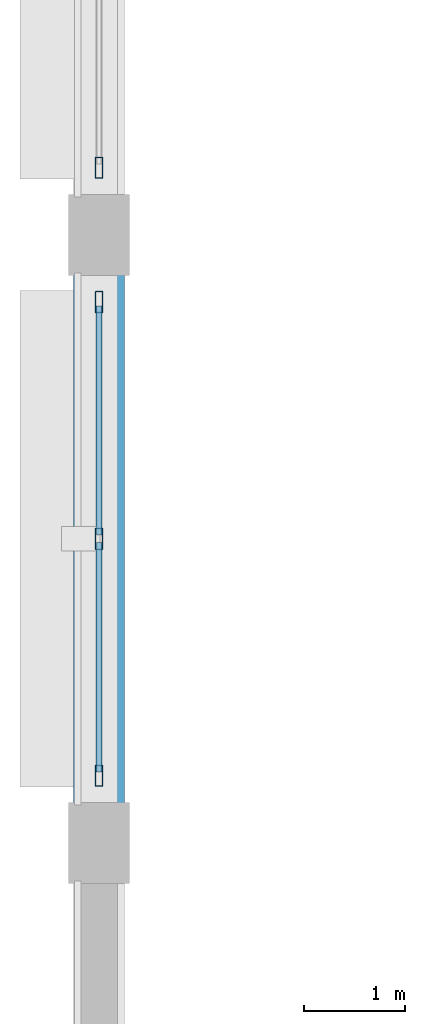
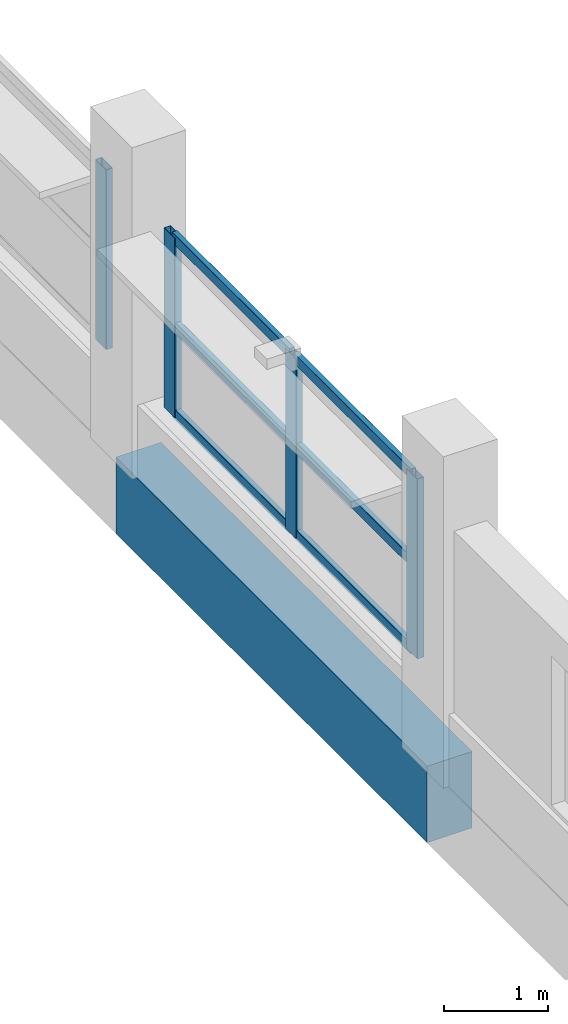
# One storey, part 5 of 121: 10 members, 1 beam, 2 elements without a shape of their own.
"""IFC4 building model written with IfcOpenShell, lengths in metres."""

from ifc_helpers import new_model, si_unit, direction, frame, origin, origin_2d, place, context, subcontext, project, spatial, rectangle, hollow_rectangle, extrude, material, layer, layer_set, material_profile, profile_set, type_object, element, aggregate, save


model = new_model("IFC4")

# Units and contexts
model_context = context("Model", 3, precision=1e-05, world=origin(), true_north=direction((0.0, 1.0)))
body_context = subcontext(model_context, "Body", "Model", "MODEL_VIEW")
ifc_project = project(units=[si_unit("LENGTHUNIT", "METRE"), si_unit("AREAUNIT", "SQUARE_METRE"), si_unit("VOLUMEUNIT", "CUBIC_METRE"), si_unit("PLANEANGLEUNIT", "RADIAN"), si_unit("MASSUNIT", "GRAM", prefix="KILO")], contexts=[model_context])

# Site, building, storey
site_placement = place(None, origin())
site = spatial("IfcSite", under=ifc_project, at=site_placement, CompositionType="ELEMENT")
building_placement = place(site_placement, origin())
building = spatial("IfcBuilding", under=site, at=building_placement, Name="Vespera Passage Community Centre", CompositionType="ELEMENT")
storey_placement = place(building_placement, frame((0.0, 0.0, 8.699951171875)))
storey = spatial("IfcBuildingStorey", under=building, at=storey_placement, Name="L02", CompositionType="ELEMENT", Elevation=8.699951171875)

# Beam
ifc_material_1 = material(Name="Concrete f'c 45 MPa", Category="concrete")
ifc_material_profile_1 = material_profile(ifc_material_1, rectangle(XDim=0.5, YDim=0.89990234375, at=origin_2d()), Name="RC500X900")
ifc_profile_set_1 = profile_set([ifc_material_profile_1], Name="Concrete f'c 45 MPa")
beam_type = type_object("IfcBeamType", Name="BM-SP-500X900E", PredefinedType="SPANDREL", material=ifc_profile_set_1)
beam_placement = place(storey_placement, frame((4.050048828125, 13.0, -0.449951171875), z_axis=(0.0, 1.0, 0.0), x_axis=(-1.0, 0.0, 0.0)))
element("IfcBeam", 1, at=beam_placement, inside=storey, type_object=beam_type, Name="V1 L02 Spandrel W2", PredefinedType="SPANDREL", context=body_context, shape_type="SweptSolid", body=[
    extrude(rectangle(XDim=0.5, YDim=0.89990234375, at=origin_2d()), origin(), (0.0, 0.0, 1.0), 6.0),
])

# Curtain wall, members
ifc_material_2 = material(Name="Anodized aluminium 6063-T6", Category="aluminium")
ifc_layer = layer(ifc_material_2, 0.159912109375)
ifc_layer_set = layer_set([ifc_layer], Name="Anodized aluminium 6063-T6")
curtain_wall_type = type_object("IfcCurtainWallType", Name="CW-86E", PredefinedType="NOTDEFINED", material=ifc_layer_set)
curtain_wall_1_placement = place(storey_placement, origin())
curtain_wall_1 = element("IfcCurtainWall", 2, at=curtain_wall_1_placement, inside=storey, type_object=curtain_wall_type, Name="Main Hall Acoustic Curtain Wall L02 W2", PredefinedType="NOTDEFINED")
ifc_material_3 = material(Name="Anodized aluminium 6063-T6", Category="aluminium")
ifc_material_profile_2 = material_profile(ifc_material_3, hollow_rectangle(XDim=0.074951171875, YDim=0.2099609375, WallThickness=0.0048828125, InnerFilletRadius=0.00244140625, OuterFilletRadius=0.0048828125, at=origin_2d()), Name="ALU210X75X5")
ifc_profile_set_2 = profile_set([ifc_material_profile_2], Name="Anodized aluminium 6063-T6")
member_type_1 = type_object("IfcMemberType", Name="MB-CWM-210E", PredefinedType="MULLION", material=ifc_profile_set_2)
member_1_placement = place(storey_placement, frame((4.050048828125, 13.66259765625, 0.85009765625), z_axis=(0.0, 0.0, 1.0), x_axis=(-1.0, 0.0, 0.0)))
member_1 = element("IfcMember", 3, at=member_1_placement, type_object=member_type_1, Name="CW-86E mullion 1", PredefinedType="MULLION", context=body_context, shape_type="SweptSolid", body=[
    extrude(hollow_rectangle(XDim=0.074951171875, YDim=0.2099609375, WallThickness=0.0048828125, InnerFilletRadius=0.00244140625, OuterFilletRadius=0.0048828125, at=origin_2d()), origin(), (0.0, 0.0, 1.0), 2.114990234375),
])
member_2_placement = place(storey_placement, frame((4.050048828125, 16.0, 0.85009765625), z_axis=(0.0, 0.0, 1.0), x_axis=(-1.0, 0.0, 0.0)))
member_2 = element("IfcMember", 4, at=member_2_placement, type_object=member_type_1, Name="CW-86E mullion 2", PredefinedType="MULLION", context=body_context, shape_type="SweptSolid", body=[
    extrude(hollow_rectangle(XDim=0.074951171875, YDim=0.2099609375, WallThickness=0.0048828125, InnerFilletRadius=0.00244140625, OuterFilletRadius=0.0048828125, at=origin_2d()), origin(), (0.0, 0.0, 1.0), 2.114990234375),
])
member_3_placement = place(storey_placement, frame((4.050048828125, 18.33740234375, 0.85009765625), z_axis=(0.0, 0.0, 1.0), x_axis=(-1.0, 0.0, 0.0)))
member_3 = element("IfcMember", 5, at=member_3_placement, type_object=member_type_1, Name="CW-86E mullion 3", PredefinedType="MULLION", context=body_context, shape_type="SweptSolid", body=[
    extrude(hollow_rectangle(XDim=0.074951171875, YDim=0.2099609375, WallThickness=0.0048828125, InnerFilletRadius=0.00244140625, OuterFilletRadius=0.0048828125, at=origin_2d()), origin(), (0.0, 0.0, 1.0), 2.114990234375),
])

# Curtain wall, member
curtain_wall_2_placement = place(storey_placement, origin())
curtain_wall_2 = element("IfcCurtainWall", 6, at=curtain_wall_2_placement, inside=storey, type_object=curtain_wall_type, Name="Main Hall Acoustic Curtain Wall L02 W3", PredefinedType="NOTDEFINED")
member_4_placement = place(storey_placement, frame((4.050048828125, 19.66259765625, 0.85009765625), z_axis=(0.0, 0.0, 1.0), x_axis=(-1.0, 0.0, 0.0)))
member_4 = element("IfcMember", 7, at=member_4_placement, type_object=member_type_1, Name="CW-86E mullion 1", PredefinedType="MULLION", context=body_context, shape_type="SweptSolid", body=[
    extrude(hollow_rectangle(XDim=0.074951171875, YDim=0.2099609375, WallThickness=0.0048828125, InnerFilletRadius=0.00244140625, OuterFilletRadius=0.0048828125, at=origin_2d()), origin(), (0.0, 0.0, 1.0), 2.114990234375),
])
aggregate(curtain_wall_2, [member_4])

# Member
ifc_material_4 = material(Name="Anodized aluminium 6063-T6", Category="aluminium")
ifc_material_profile_3 = material_profile(ifc_material_4, hollow_rectangle(XDim=0.06005859375, YDim=0.1201171875, WallThickness=0.00390625, InnerFilletRadius=0.001953125, OuterFilletRadius=0.00390625, at=origin_2d()), Name="ALU120X60X4")
ifc_profile_set_3 = profile_set([ifc_material_profile_3], Name="Anodized aluminium 6063-T6")
member_type_2 = type_object("IfcMemberType", Name="MB-CWT-120E", PredefinedType="USERDEFINED", material=ifc_profile_set_3)
member_5_placement = place(storey_placement, frame((4.050048828125, 13.699951171875, 0.880126953125), z_axis=(0.0, 1.0, 0.0), x_axis=(-1.0, 0.0, 0.0)))
member_5 = element("IfcMember", 8, at=member_5_placement, type_object=member_type_2, Name="CW-86E transom 1.1", ObjectType="TRANSOM", PredefinedType="USERDEFINED", context=body_context, shape_type="SweptSolid", body=[
    extrude(hollow_rectangle(XDim=0.06005859375, YDim=0.1201171875, WallThickness=0.00390625, InnerFilletRadius=0.001953125, OuterFilletRadius=0.00390625, at=origin_2d()), origin(), (0.0, 0.0, 1.0), 2.262451171875),
])

member_6_placement = place(storey_placement, frame((4.050048828125, 13.699951171875, 1.907470703125), z_axis=(0.0, 1.0, 0.0), x_axis=(-1.0, 0.0, 0.0)))
member_6 = element("IfcMember", 9, at=member_6_placement, type_object=member_type_2, Name="CW-86E transom 1.2", ObjectType="TRANSOM", PredefinedType="USERDEFINED", context=body_context, shape_type="SweptSolid", body=[
    extrude(hollow_rectangle(XDim=0.06005859375, YDim=0.1201171875, WallThickness=0.00390625, InnerFilletRadius=0.001953125, OuterFilletRadius=0.00390625, at=origin_2d()), origin(), (0.0, 0.0, 1.0), 2.262451171875),
])

member_7_placement = place(storey_placement, frame((4.050048828125, 13.699951171875, 2.93505859375), z_axis=(0.0, 1.0, 0.0), x_axis=(-1.0, 0.0, 0.0)))
member_7 = element("IfcMember", 10, at=member_7_placement, type_object=member_type_2, Name="CW-86E transom 1.3", ObjectType="TRANSOM", PredefinedType="USERDEFINED", context=body_context, shape_type="SweptSolid", body=[
    extrude(hollow_rectangle(XDim=0.06005859375, YDim=0.1201171875, WallThickness=0.00390625, InnerFilletRadius=0.001953125, OuterFilletRadius=0.00390625, at=origin_2d()), origin(), (0.0, 0.0, 1.0), 2.262451171875),
])

member_8_placement = place(storey_placement, frame((4.050048828125, 16.03759765625, 0.880126953125), z_axis=(0.0, 1.0, 0.0), x_axis=(-1.0, 0.0, 0.0)))
member_8 = element("IfcMember", 11, at=member_8_placement, type_object=member_type_2, Name="CW-86E transom 2.1", ObjectType="TRANSOM", PredefinedType="USERDEFINED", context=body_context, shape_type="SweptSolid", body=[
    extrude(hollow_rectangle(XDim=0.06005859375, YDim=0.1201171875, WallThickness=0.00390625, InnerFilletRadius=0.001953125, OuterFilletRadius=0.00390625, at=origin_2d()), origin(), (0.0, 0.0, 1.0), 2.262451171875),
])

member_9_placement = place(storey_placement, frame((4.050048828125, 16.03759765625, 1.907470703125), z_axis=(0.0, 1.0, 0.0), x_axis=(-1.0, 0.0, 0.0)))
member_9 = element("IfcMember", 12, at=member_9_placement, type_object=member_type_2, Name="CW-86E transom 2.2", ObjectType="TRANSOM", PredefinedType="USERDEFINED", context=body_context, shape_type="SweptSolid", body=[
    extrude(hollow_rectangle(XDim=0.06005859375, YDim=0.1201171875, WallThickness=0.00390625, InnerFilletRadius=0.001953125, OuterFilletRadius=0.00390625, at=origin_2d()), origin(), (0.0, 0.0, 1.0), 2.262451171875),
])

member_10_placement = place(storey_placement, frame((4.050048828125, 16.03759765625, 2.93505859375), z_axis=(0.0, 1.0, 0.0), x_axis=(-1.0, 0.0, 0.0)))
member_10 = element("IfcMember", 13, at=member_10_placement, type_object=member_type_2, Name="CW-86E transom 2.3", ObjectType="TRANSOM", PredefinedType="USERDEFINED", context=body_context, shape_type="SweptSolid", body=[
    extrude(hollow_rectangle(XDim=0.06005859375, YDim=0.1201171875, WallThickness=0.00390625, InnerFilletRadius=0.001953125, OuterFilletRadius=0.00390625, at=origin_2d()), origin(), (0.0, 0.0, 1.0), 2.262451171875),
])

aggregate(curtain_wall_1, [member_1, member_2, member_3, member_5, member_6, member_7, member_8, member_9, member_10])

save(model, "model.ifc")
